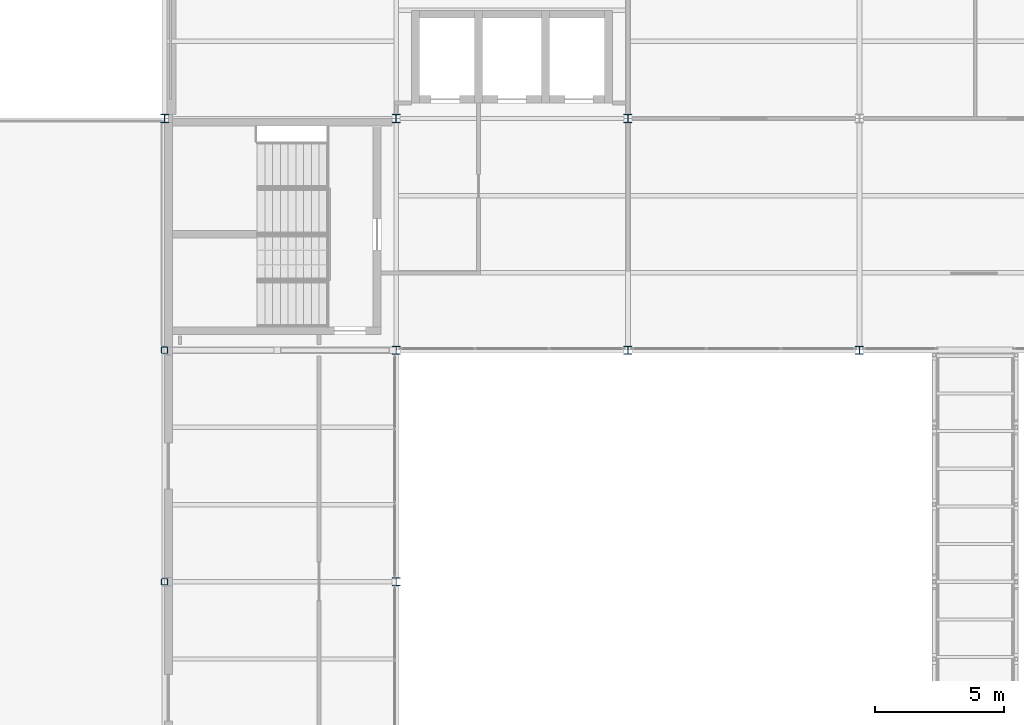
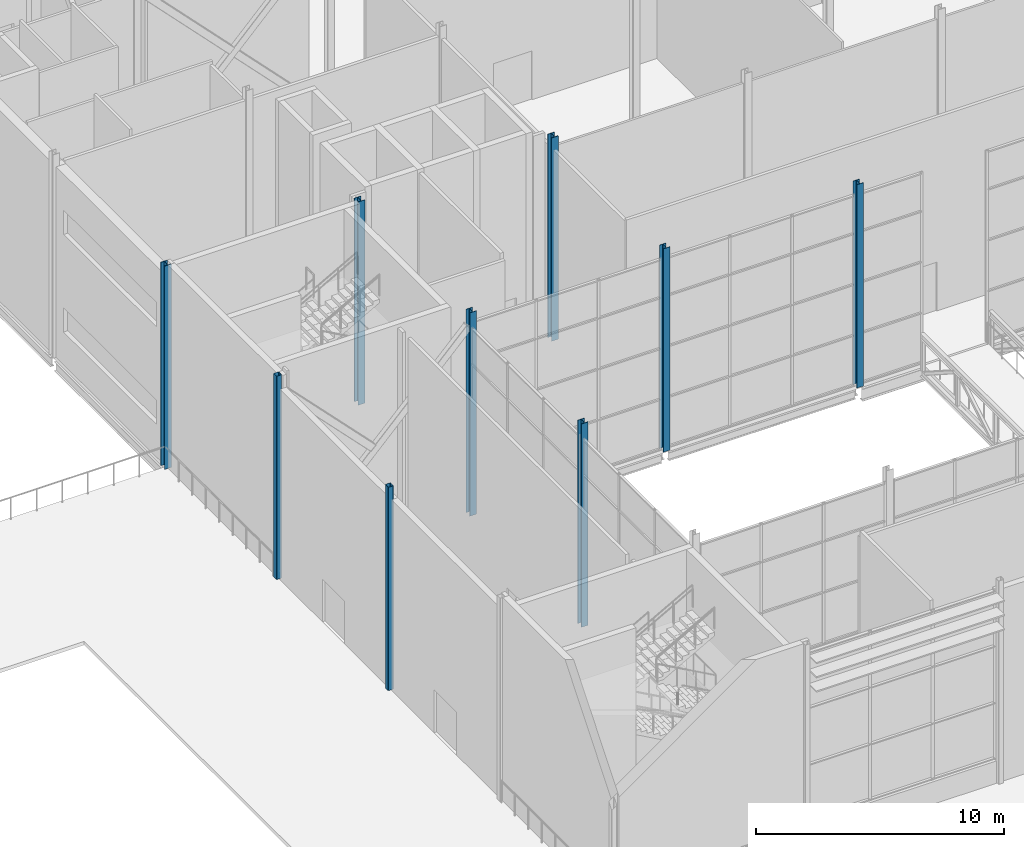
# One storey, part 4 of 111: 9 columns.
"""IFC4 building model written with IfcOpenShell, lengths in metres."""

from ifc_helpers import new_model, si_unit, direction, frame, origin, origin_2d, place, context, subcontext, project, spatial, hollow_rectangle, i_section, extrude, material, material_profile, profile_set, type_object, element, save


model = new_model("IFC4")

# Units and contexts
model_context = context("Model", 3, precision=1e-05, world=origin(), true_north=direction((0.0, 1.0)))
body_context = subcontext(model_context, "Body", "Model", "MODEL_VIEW")
ifc_project = project(units=[si_unit("LENGTHUNIT", "METRE"), si_unit("AREAUNIT", "SQUARE_METRE"), si_unit("VOLUMEUNIT", "CUBIC_METRE"), si_unit("PLANEANGLEUNIT", "RADIAN"), si_unit("MASSUNIT", "GRAM", prefix="KILO")], contexts=[model_context])

# Site, building, storey
site_placement = place(None, origin())
site = spatial("IfcSite", under=ifc_project, at=site_placement, CompositionType="ELEMENT")
building_placement = place(site_placement, origin())
building = spatial("IfcBuilding", under=site, at=building_placement, Name="Shorebreak Coast Museum", CompositionType="ELEMENT")
storey_placement = place(building_placement, frame((0.0, 0.0, 16.0)))
storey = spatial("IfcBuildingStorey", under=building, at=storey_placement, Name="L03", CompositionType="ELEMENT", Elevation=16.0)

# Columns
ifc_material_1 = material(Name="Steel Grade C450L0", Category="steel")
ifc_material_profile_1 = material_profile(ifc_material_1, hollow_rectangle(XDim=0.25, YDim=0.25, WallThickness=0.012451171875, InnerFilletRadius=0.018798828125, OuterFilletRadius=0.03125, at=origin_2d()), Name="250x250x12.5 SHS")
ifc_profile_set_1 = profile_set([ifc_material_profile_1], Name="Steel Grade C450L0")
column_type_1 = type_object("IfcColumnType", Name="Column 250x250x12.5 SHS", PredefinedType="COLUMN", material=ifc_profile_set_1)
for number, where, z_axis, x_axis, name in (
    (1, (54.0, 72.0, 0.0), (0.0, 0.0, 1.0), (1.0, 0.0, 0.0), "Column L03 7J"),
    (2, (54.0, 81.0, 0.0), (0.0, 0.0, 1.0), (1.0, 0.0, 0.0), "Column L03 7K"),
):
    element("IfcColumn", number, at=place(storey_placement, frame(where, z_axis=z_axis, x_axis=x_axis)), inside=storey, type_object=column_type_1, Name=name, PredefinedType="COLUMN", context=body_context, shape_type="SweptSolid", body=[
        extrude(hollow_rectangle(XDim=0.25, YDim=0.25, WallThickness=0.012451171875, InnerFilletRadius=0.018798828125, OuterFilletRadius=0.03125, at=origin_2d()), origin(), (0.0, 0.0, 1.0), 10.0),
    ])
ifc_material_2 = material(Name="Steel Grade 300", Category="steel")
ifc_material_profile_2 = material_profile(ifc_material_2, i_section(OverallWidth=0.30908203125, OverallDepth=0.320556640625, WebThickness=0.013916015625, FlangeThickness=0.021728515625, FilletRadius=0.0166015625, at=origin_2d()), Name="310UC137")
ifc_profile_set_2 = profile_set([ifc_material_profile_2], Name="Steel Grade 300")
column_type_2 = type_object("IfcColumnType", Name="Column 310UC137", PredefinedType="COLUMN", material=ifc_profile_set_2)
for number, where, z_axis, x_axis, name in (
    (3, (63.0, 72.0, 0.0), (0.0, 0.0, 1.0), (1.0, 0.0, 0.0), "Column L03 8J"),
    (4, (63.0, 81.0, 0.0), (0.0, 0.0, 1.0), (1.0, 0.0, 0.0), "Column L03 8K"),
    (5, (72.0, 81.0, 0.0), (0.0, 0.0, 1.0), (1.0, 0.0, 0.0), "Column L03 9K"),
    (6, (81.0, 81.0, 0.0), (0.0, 0.0, 1.0), (1.0, 0.0, 0.0), "Column L03 10K"),
):
    element("IfcColumn", number, at=place(storey_placement, frame(where, z_axis=z_axis, x_axis=x_axis)), inside=storey, type_object=column_type_2, Name=name, PredefinedType="COLUMN", context=body_context, shape_type="SweptSolid", body=[
        extrude(i_section(OverallWidth=0.30908203125, OverallDepth=0.320556640625, WebThickness=0.013916015625, FlangeThickness=0.021728515625, FilletRadius=0.0166015625, at=origin_2d()), origin(), (0.0, 0.0, 1.0), 10.0),
    ])
ifc_material_3 = material(Name="Steel Grade 300", Category="steel")
ifc_material_profile_3 = material_profile(ifc_material_3, i_section(OverallWidth=0.31103515625, OverallDepth=0.3271484375, WebThickness=0.015625, FlangeThickness=0.02490234375, FilletRadius=0.0166015625, at=origin_2d()), Name="310UC158")
ifc_profile_set_3 = profile_set([ifc_material_profile_3], Name="Steel Grade 300")
column_type_3 = type_object("IfcColumnType", Name="Column 310UC158", PredefinedType="COLUMN", material=ifc_profile_set_3)
for number, where, z_axis, x_axis, name in (
    (7, (54.0, 90.0, 0.0), (0.0, 0.0, 1.0), (1.0, 0.0, 0.0), "Column L03 7L"),
    (8, (63.0, 90.0, 0.0), (0.0, 0.0, 1.0), (1.0, 0.0, 0.0), "Column L03 8L"),
    (9, (72.0, 90.0, 0.0), (0.0, 0.0, 1.0), (1.0, 0.0, 0.0), "Column L03 9L"),
):
    element("IfcColumn", number, at=place(storey_placement, frame(where, z_axis=z_axis, x_axis=x_axis)), inside=storey, type_object=column_type_3, Name=name, PredefinedType="COLUMN", context=body_context, shape_type="SweptSolid", body=[
        extrude(i_section(OverallWidth=0.31103515625, OverallDepth=0.3271484375, WebThickness=0.015625, FlangeThickness=0.02490234375, FilletRadius=0.0166015625, at=origin_2d()), origin(), (0.0, 0.0, 1.0), 10.0),
    ])

save(model, "model.ifc")
